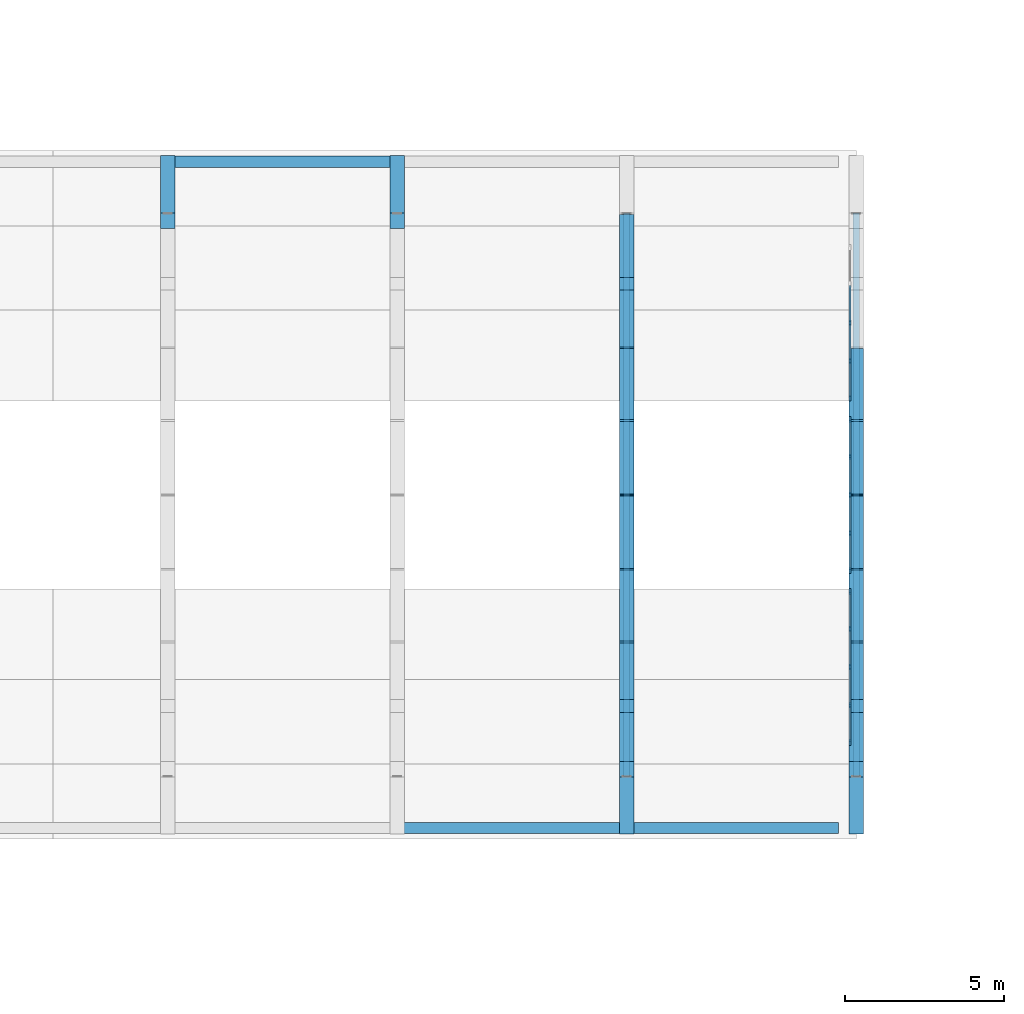
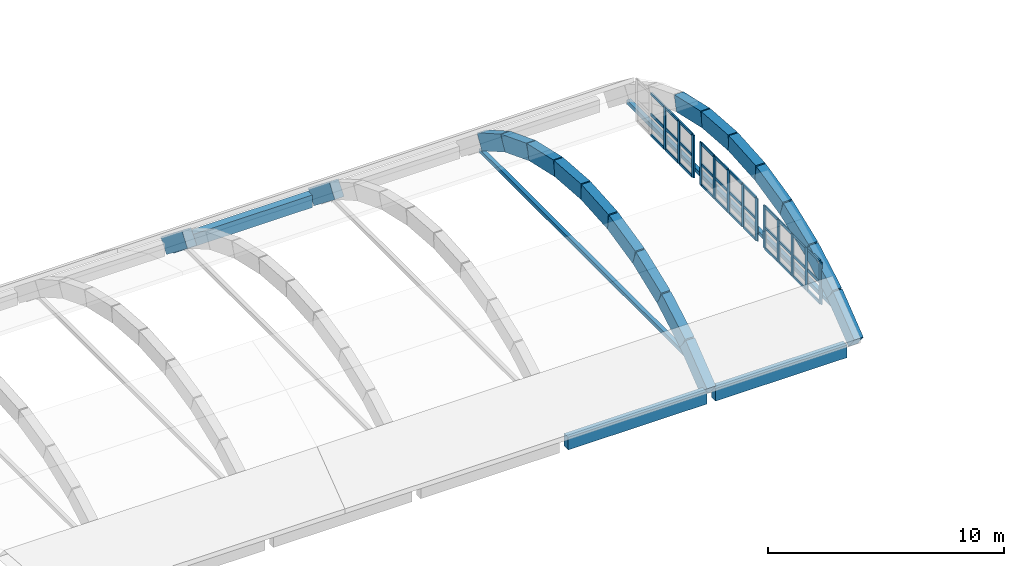
# One storey, part 14 of 73: 48 members, 21 beams, 3 elements without a shape of their own.
"""IFC4 building model written with IfcOpenShell, lengths in metres."""

from ifc_helpers import new_model, si_unit, derived_unit, direction, frame, origin, origin_2d, place, context, subcontext, project, spatial, rectangle, hollow_rectangle, extrude, material, layer, layer_set, material_profile, profile_set, type_object, element, aggregate, save


model = new_model("IFC4")

# Units and contexts
model_context = context("Model", 3, precision=1e-05, world=origin(), true_north=direction((0.0, 1.0)))
body_context = subcontext(model_context, "Body", "Model", "MODEL_VIEW")
ifc_project = project(units=[si_unit("LENGTHUNIT", "METRE"), si_unit("AREAUNIT", "SQUARE_METRE"), si_unit("VOLUMEUNIT", "CUBIC_METRE"), si_unit("PLANEANGLEUNIT", "RADIAN"), si_unit("MASSUNIT", "GRAM", prefix="KILO"), derived_unit("THERMALTRANSMITTANCEUNIT", [(si_unit("MASSUNIT", "GRAM", prefix="KILO"), 1), (si_unit("TIMEUNIT", "SECOND"), -3), (si_unit("THERMODYNAMICTEMPERATUREUNIT", "KELVIN"), -1)])], contexts=[model_context])

# Site, building, storey
site_placement = place(None, origin())
site = spatial("IfcSite", under=ifc_project, at=site_placement, CompositionType="ELEMENT")
building_placement = place(site_placement, origin())
building = spatial("IfcBuilding", under=site, at=building_placement, Name="Ochrekiln Boulevard Commons", CompositionType="ELEMENT")
storey_placement = place(building_placement, frame((0.0, 0.0, 8.574951171875)))
storey = spatial("IfcBuildingStorey", under=building, at=storey_placement, Name="L02", CompositionType="ELEMENT", Elevation=8.574951171875)

# Beams
ifc_material_1 = material(Name="Concrete C40/50", Category="concrete")
ifc_material_profile_1 = material_profile(ifc_material_1, rectangle(XDim=0.449951171875, YDim=0.800048828125, at=origin_2d()), Name="RC-RIB-450x800")
ifc_profile_set_1 = profile_set([ifc_material_profile_1], Name="Concrete C40/50")
beam_type_1 = type_object("IfcBeamType", Name="BM-RIB-450x800", PredefinedType="BEAM", material=ifc_profile_set_1)
for number, where, z_axis, x_axis, name in (
    (1, (86.39990234375, 55.40380859375, 0.969482421875), (0.0, 0.785288184657, -0.61913041198), (-1.0, 0.0, 0.0), "Community Hall Barrel Vault Arch Rib 5 Chord 10"),
    (2, (93.60009765625, 55.40380859375, 0.969482421875), (0.0, 0.785288184657, -0.61913041198), (-1.0, 0.0, 0.0), "Community Hall Barrel Vault Arch Rib 6 Chord 10"),
    (3, (100.800048828125, 36.405517578125, -0.4423828125), (0.0, 0.785288184657, 0.61913041198), (-1.0, 0.0, 0.0), "Community Hall Barrel Vault Arch Rib 7 Chord 1"),
):
    element("IfcBeam", number, at=place(storey_placement, frame(where, z_axis=z_axis, x_axis=x_axis)), inside=storey, type_object=beam_type_1, Name=name, PredefinedType="BEAM", context=body_context, shape_type="SweptSolid", body=[
        extrude(rectangle(XDim=0.449951171875, YDim=0.800048828125, at=origin_2d()), origin(), (0.0, 0.0, 1.0), 2.280517578125),
    ])
beam_1_placement = place(storey_placement, frame((100.800048828125, 38.1962890625, 0.969482421875), z_axis=(0.0, 0.868183838811, 0.496242704759), x_axis=(-1.0, 0.0, 0.0)))
element("IfcBeam", 4, at=beam_1_placement, inside=storey, type_object=beam_type_1, Name="Community Hall Barrel Vault Arch Rib 7 Chord 2", PredefinedType="BEAM", context=body_context, shape_type="SweptSolid", body=[
    extrude(rectangle(XDim=0.449951171875, YDim=0.800048828125, at=origin_2d()), origin(), (0.0, 0.0, 1.0), 2.2802734375),
])
for number, where, z_axis, x_axis, name in (
    (5, (100.800048828125, 40.176025390625, 2.10107421875), (0.0, 0.93199261694, 0.362477257174), (-1.0, 0.0, 0.0), "Community Hall Barrel Vault Arch Rib 7 Chord 3"),
    (6, (100.800048828125, 42.301513671875, 2.927734375), (0.0, 0.975333305686, 0.220737271027), (-1.0, 0.0, 0.0), "Community Hall Barrel Vault Arch Rib 7 Chord 4"),
    (7, (100.800048828125, 44.52587890625, 3.43115234375), (0.0, 0.997251957722, 0.074084632823), (-1.0, 0.0, 0.0), "Community Hall Barrel Vault Arch Rib 7 Chord 5"),
    (8, (100.800048828125, 46.800048828125, 3.60009765625), (0.0, 0.997251957722, -0.074084632823), (-1.0, 0.0, 0.0), "Community Hall Barrel Vault Arch Rib 7 Chord 6"),
    (9, (100.800048828125, 49.07421875, 3.43115234375), (0.0, 0.975333305686, -0.220737271027), (-1.0, 0.0, 0.0), "Community Hall Barrel Vault Arch Rib 7 Chord 7"),
):
    element("IfcBeam", number, at=place(storey_placement, frame(where, z_axis=z_axis, x_axis=x_axis)), inside=storey, type_object=beam_type_1, Name=name, PredefinedType="BEAM", context=body_context, shape_type="SweptSolid", body=[
        extrude(rectangle(XDim=0.449951171875, YDim=0.800048828125, at=origin_2d()), origin(), (0.0, 0.0, 1.0), 2.280517578125),
    ])
beam_2_placement = place(storey_placement, frame((100.800048828125, 51.298583984375, 2.927734375), z_axis=(0.0, 0.93197854933, -0.362513425391), x_axis=(-1.0, 0.0, 0.0)))
element("IfcBeam", 10, at=beam_2_placement, inside=storey, type_object=beam_type_1, Name="Community Hall Barrel Vault Arch Rib 7 Chord 8", PredefinedType="BEAM", context=body_context, shape_type="SweptSolid", body=[
    extrude(rectangle(XDim=0.449951171875, YDim=0.800048828125, at=origin_2d()), origin(), (0.0, 0.0, 1.0), 2.2802734375),
])
for number, where, z_axis, x_axis, name in (
    (11, (100.800048828125, 53.423828125, 2.10107421875), (0.0, 0.868210200433, -0.496196581875), (-1.0, 0.0, 0.0), "Community Hall Barrel Vault Arch Rib 7 Chord 9"),
    (12, (108.0, 36.405517578125, -0.4423828125), (0.0, 0.785288184657, 0.61913041198), (-1.0, 0.0, 0.0), "Community Hall Barrel Vault Arch Rib 8 Chord 1"),
):
    element("IfcBeam", number, at=place(storey_placement, frame(where, z_axis=z_axis, x_axis=x_axis)), inside=storey, type_object=beam_type_1, Name=name, PredefinedType="BEAM", context=body_context, shape_type="SweptSolid", body=[
        extrude(rectangle(XDim=0.449951171875, YDim=0.800048828125, at=origin_2d()), origin(), (0.0, 0.0, 1.0), 2.280517578125),
    ])
beam_3_placement = place(storey_placement, frame((108.0, 38.1962890625, 0.969482421875), z_axis=(0.0, 0.868183838811, 0.496242704759), x_axis=(-1.0, 0.0, 0.0)))
element("IfcBeam", 13, at=beam_3_placement, inside=storey, type_object=beam_type_1, Name="Community Hall Barrel Vault Arch Rib 8 Chord 2", PredefinedType="BEAM", context=body_context, shape_type="SweptSolid", body=[
    extrude(rectangle(XDim=0.449951171875, YDim=0.800048828125, at=origin_2d()), origin(), (0.0, 0.0, 1.0), 2.2802734375),
])
for number, where, z_axis, x_axis, name in (
    (14, (108.0, 40.176025390625, 2.10107421875), (0.0, 0.93199261694, 0.362477257174), (-1.0, 0.0, 0.0), "Community Hall Barrel Vault Arch Rib 8 Chord 3"),
    (15, (108.0, 42.301513671875, 2.927734375), (0.0, 0.975333305686, 0.220737271027), (-1.0, 0.0, 0.0), "Community Hall Barrel Vault Arch Rib 8 Chord 4"),
    (16, (108.0, 44.52587890625, 3.43115234375), (0.0, 0.997251957722, 0.074084632823), (-1.0, 0.0, 0.0), "Community Hall Barrel Vault Arch Rib 8 Chord 5"),
    (17, (108.0, 46.800048828125, 3.60009765625), (0.0, 0.997251957722, -0.074084632823), (-1.0, 0.0, 0.0), "Community Hall Barrel Vault Arch Rib 8 Chord 6"),
    (18, (108.0, 49.07421875, 3.43115234375), (0.0, 0.975333305686, -0.220737271027), (-1.0, 0.0, 0.0), "Community Hall Barrel Vault Arch Rib 8 Chord 7"),
):
    element("IfcBeam", number, at=place(storey_placement, frame(where, z_axis=z_axis, x_axis=x_axis)), inside=storey, type_object=beam_type_1, Name=name, PredefinedType="BEAM", context=body_context, shape_type="SweptSolid", body=[
        extrude(rectangle(XDim=0.449951171875, YDim=0.800048828125, at=origin_2d()), origin(), (0.0, 0.0, 1.0), 2.280517578125),
    ])

# Curtain wall, members
ifc_material_2 = material(Name="Bronze-anodized extruded aluminium 6063-T6", Category="aluminium")
ifc_layer = layer(ifc_material_2, 0.196044921875)
ifc_layer_set = layer_set([ifc_layer], Name="Bronze-anodized extruded aluminium 6063-T6")
curtain_wall_type = type_object("IfcCurtainWallType", Name="CW-HALL", PredefinedType="USERDEFINED", material=ifc_layer_set)
curtain_wall_1_placement = place(storey_placement, origin())
curtain_wall_1 = element("IfcCurtainWall", 19, at=curtain_wall_1_placement, inside=storey, type_object=curtain_wall_type, Name="Community Hall Vault Tympanum Curtain Wall E-1", ObjectType="GLAZED CURTAIN WALL", PredefinedType="USERDEFINED")
ifc_material_profile_2 = material_profile(ifc_material_2, rectangle(XDim=0.06494140625, YDim=0.179931640625, at=origin_2d()), Name="ALU-MUL-65x180")
ifc_profile_set_2 = profile_set([ifc_material_profile_2], Name="Bronze-anodized extruded aluminium 6063-T6")
member_type_1 = type_object("IfcMemberType", Name="CWM-65x180", PredefinedType="MULLION", material=ifc_profile_set_2)
member_1_placement = place(storey_placement, frame((107.800048828125, 39.032470703125, 0.0), z_axis=(0.0, 0.0, 1.0), x_axis=(-1.0, 0.0, 0.0)))
member_1 = element("IfcMember", 20, at=member_1_placement, type_object=member_type_1, Name="CW-03 mullion 1", PredefinedType="MULLION", context=body_context, shape_type="SweptSolid", body=[
    extrude(rectangle(XDim=0.06494140625, YDim=0.179931640625, at=origin_2d()), origin(), (0.0, 0.0, 1.0), 2.199951171875),
])
member_2_placement = place(storey_placement, frame((107.800048828125, 40.199951171875, 0.0), z_axis=(0.0, 0.0, 1.0), x_axis=(-1.0, 0.0, 0.0)))
member_2 = element("IfcMember", 21, at=member_2_placement, type_object=member_type_1, Name="CW-03 mullion 2", PredefinedType="MULLION", context=body_context, shape_type="SweptSolid", body=[
    extrude(rectangle(XDim=0.06494140625, YDim=0.179931640625, at=origin_2d()), origin(), (0.0, 0.0, 1.0), 2.199951171875),
])
member_3_placement = place(storey_placement, frame((107.800048828125, 41.39990234375, 0.0), z_axis=(0.0, 0.0, 1.0), x_axis=(-1.0, 0.0, 0.0)))
member_3 = element("IfcMember", 22, at=member_3_placement, type_object=member_type_1, Name="CW-03 mullion 3", PredefinedType="MULLION", context=body_context, shape_type="SweptSolid", body=[
    extrude(rectangle(XDim=0.06494140625, YDim=0.179931640625, at=origin_2d()), origin(), (0.0, 0.0, 1.0), 2.199951171875),
])
member_4_placement = place(storey_placement, frame((107.800048828125, 42.60009765625, 0.0), z_axis=(0.0, 0.0, 1.0), x_axis=(-1.0, 0.0, 0.0)))
member_4 = element("IfcMember", 23, at=member_4_placement, type_object=member_type_1, Name="CW-03 mullion 4", PredefinedType="MULLION", context=body_context, shape_type="SweptSolid", body=[
    extrude(rectangle(XDim=0.06494140625, YDim=0.179931640625, at=origin_2d()), origin(), (0.0, 0.0, 1.0), 2.199951171875),
])
member_5_placement = place(storey_placement, frame((107.800048828125, 43.767578125, 0.0), z_axis=(0.0, 0.0, 1.0), x_axis=(-1.0, 0.0, 0.0)))
member_5 = element("IfcMember", 24, at=member_5_placement, type_object=member_type_1, Name="CW-03 mullion 5", PredefinedType="MULLION", context=body_context, shape_type="SweptSolid", body=[
    extrude(rectangle(XDim=0.06494140625, YDim=0.179931640625, at=origin_2d()), origin(), (0.0, 0.0, 1.0), 2.199951171875),
])

curtain_wall_2_placement = place(storey_placement, origin())
curtain_wall_2 = element("IfcCurtainWall", 25, at=curtain_wall_2_placement, inside=storey, type_object=curtain_wall_type, Name="Community Hall Vault Tympanum Curtain Wall E-2", ObjectType="GLAZED CURTAIN WALL", PredefinedType="USERDEFINED")
member_6_placement = place(storey_placement, frame((107.800048828125, 44.4326171875, 0.0), z_axis=(0.0, 0.0, 1.0), x_axis=(-1.0, 0.0, 0.0)))
member_6 = element("IfcMember", 26, at=member_6_placement, type_object=member_type_1, Name="CW-03 mullion 1", PredefinedType="MULLION", context=body_context, shape_type="SweptSolid", body=[
    extrude(rectangle(XDim=0.06494140625, YDim=0.179931640625, at=origin_2d()), origin(), (0.0, 0.0, 1.0), 2.199951171875),
])
member_7_placement = place(storey_placement, frame((107.800048828125, 45.60009765625, 0.0), z_axis=(0.0, 0.0, 1.0), x_axis=(-1.0, 0.0, 0.0)))
member_7 = element("IfcMember", 27, at=member_7_placement, type_object=member_type_1, Name="CW-03 mullion 2", PredefinedType="MULLION", context=body_context, shape_type="SweptSolid", body=[
    extrude(rectangle(XDim=0.06494140625, YDim=0.179931640625, at=origin_2d()), origin(), (0.0, 0.0, 1.0), 2.199951171875),
])
member_8_placement = place(storey_placement, frame((107.800048828125, 46.800048828125, 0.0), z_axis=(0.0, 0.0, 1.0), x_axis=(-1.0, 0.0, 0.0)))
member_8 = element("IfcMember", 28, at=member_8_placement, type_object=member_type_1, Name="CW-03 mullion 3", PredefinedType="MULLION", context=body_context, shape_type="SweptSolid", body=[
    extrude(rectangle(XDim=0.06494140625, YDim=0.179931640625, at=origin_2d()), origin(), (0.0, 0.0, 1.0), 2.199951171875),
])
member_9_placement = place(storey_placement, frame((107.800048828125, 48.0, 0.0), z_axis=(0.0, 0.0, 1.0), x_axis=(-1.0, 0.0, 0.0)))
member_9 = element("IfcMember", 29, at=member_9_placement, type_object=member_type_1, Name="CW-03 mullion 4", PredefinedType="MULLION", context=body_context, shape_type="SweptSolid", body=[
    extrude(rectangle(XDim=0.06494140625, YDim=0.179931640625, at=origin_2d()), origin(), (0.0, 0.0, 1.0), 2.199951171875),
])
member_10_placement = place(storey_placement, frame((107.800048828125, 49.16748046875, 0.0), z_axis=(0.0, 0.0, 1.0), x_axis=(-1.0, 0.0, 0.0)))
member_10 = element("IfcMember", 30, at=member_10_placement, type_object=member_type_1, Name="CW-03 mullion 5", PredefinedType="MULLION", context=body_context, shape_type="SweptSolid", body=[
    extrude(rectangle(XDim=0.06494140625, YDim=0.179931640625, at=origin_2d()), origin(), (0.0, 0.0, 1.0), 2.199951171875),
])

curtain_wall_3_placement = place(storey_placement, origin())
curtain_wall_3 = element("IfcCurtainWall", 31, at=curtain_wall_3_placement, inside=storey, type_object=curtain_wall_type, Name="Community Hall Vault Tympanum Curtain Wall E-3", ObjectType="GLAZED CURTAIN WALL", PredefinedType="USERDEFINED")
member_11_placement = place(storey_placement, frame((107.800048828125, 49.83251953125, 0.0), z_axis=(0.0, 0.0, 1.0), x_axis=(-1.0, 0.0, 0.0)))
member_11 = element("IfcMember", 32, at=member_11_placement, type_object=member_type_1, Name="CW-03 mullion 1", PredefinedType="MULLION", context=body_context, shape_type="SweptSolid", body=[
    extrude(rectangle(XDim=0.06494140625, YDim=0.179931640625, at=origin_2d()), origin(), (0.0, 0.0, 1.0), 2.199951171875),
])
member_12_placement = place(storey_placement, frame((107.800048828125, 51.0, 0.0), z_axis=(0.0, 0.0, 1.0), x_axis=(-1.0, 0.0, 0.0)))
member_12 = element("IfcMember", 33, at=member_12_placement, type_object=member_type_1, Name="CW-03 mullion 2", PredefinedType="MULLION", context=body_context, shape_type="SweptSolid", body=[
    extrude(rectangle(XDim=0.06494140625, YDim=0.179931640625, at=origin_2d()), origin(), (0.0, 0.0, 1.0), 2.199951171875),
])
member_13_placement = place(storey_placement, frame((107.800048828125, 52.199951171875, 0.0), z_axis=(0.0, 0.0, 1.0), x_axis=(-1.0, 0.0, 0.0)))
member_13 = element("IfcMember", 34, at=member_13_placement, type_object=member_type_1, Name="CW-03 mullion 3", PredefinedType="MULLION", context=body_context, shape_type="SweptSolid", body=[
    extrude(rectangle(XDim=0.06494140625, YDim=0.179931640625, at=origin_2d()), origin(), (0.0, 0.0, 1.0), 2.199951171875),
])

# Member
ifc_material_profile_3 = material_profile(ifc_material_2, rectangle(XDim=0.06494140625, YDim=0.139892578125, at=origin_2d()), Name="ALU-TRN-65x140")
ifc_profile_set_3 = profile_set([ifc_material_profile_3], Name="Bronze-anodized extruded aluminium 6063-T6")
member_type_2 = type_object("IfcMemberType", Name="CWT-65x140", PredefinedType="USERDEFINED", material=ifc_profile_set_3)
member_14_placement = place(storey_placement, frame((107.800048828125, 39.06494140625, 0.032470703125), z_axis=(0.0, 1.0, 0.0), x_axis=(-1.0, 0.0, 0.0)))
member_14 = element("IfcMember", 35, at=member_14_placement, type_object=member_type_2, Name="CW-03 transom 1.1", ObjectType="TRANSOM", PredefinedType="USERDEFINED", context=body_context, shape_type="SweptSolid", body=[
    extrude(rectangle(XDim=0.06494140625, YDim=0.139892578125, at=origin_2d()), origin(), (0.0, 0.0, 1.0), 1.1025390625),
])

member_15_placement = place(storey_placement, frame((107.800048828125, 39.06494140625, 1.10009765625), z_axis=(0.0, 1.0, 0.0), x_axis=(-1.0, 0.0, 0.0)))
member_15 = element("IfcMember", 36, at=member_15_placement, type_object=member_type_2, Name="CW-03 transom 1.2", ObjectType="TRANSOM", PredefinedType="USERDEFINED", context=body_context, shape_type="SweptSolid", body=[
    extrude(rectangle(XDim=0.06494140625, YDim=0.139892578125, at=origin_2d()), origin(), (0.0, 0.0, 1.0), 1.1025390625),
])

member_16_placement = place(storey_placement, frame((107.800048828125, 39.06494140625, 2.16748046875), z_axis=(0.0, 1.0, 0.0), x_axis=(-1.0, 0.0, 0.0)))
member_16 = element("IfcMember", 37, at=member_16_placement, type_object=member_type_2, Name="CW-03 transom 1.3", ObjectType="TRANSOM", PredefinedType="USERDEFINED", context=body_context, shape_type="SweptSolid", body=[
    extrude(rectangle(XDim=0.06494140625, YDim=0.139892578125, at=origin_2d()), origin(), (0.0, 0.0, 1.0), 1.1025390625),
])

member_17_placement = place(storey_placement, frame((107.800048828125, 40.232421875, 0.032470703125), z_axis=(0.0, 1.0, 0.0), x_axis=(-1.0, 0.0, 0.0)))
member_17 = element("IfcMember", 38, at=member_17_placement, type_object=member_type_2, Name="CW-03 transom 2.1", ObjectType="TRANSOM", PredefinedType="USERDEFINED", context=body_context, shape_type="SweptSolid", body=[
    extrude(rectangle(XDim=0.06494140625, YDim=0.139892578125, at=origin_2d()), origin(), (0.0, 0.0, 1.0), 1.135009765625),
])

member_18_placement = place(storey_placement, frame((107.800048828125, 40.232421875, 1.10009765625), z_axis=(0.0, 1.0, 0.0), x_axis=(-1.0, 0.0, 0.0)))
member_18 = element("IfcMember", 39, at=member_18_placement, type_object=member_type_2, Name="CW-03 transom 2.2", ObjectType="TRANSOM", PredefinedType="USERDEFINED", context=body_context, shape_type="SweptSolid", body=[
    extrude(rectangle(XDim=0.06494140625, YDim=0.139892578125, at=origin_2d()), origin(), (0.0, 0.0, 1.0), 1.135009765625),
])

member_19_placement = place(storey_placement, frame((107.800048828125, 40.232421875, 2.16748046875), z_axis=(0.0, 1.0, 0.0), x_axis=(-1.0, 0.0, 0.0)))
member_19 = element("IfcMember", 40, at=member_19_placement, type_object=member_type_2, Name="CW-03 transom 2.3", ObjectType="TRANSOM", PredefinedType="USERDEFINED", context=body_context, shape_type="SweptSolid", body=[
    extrude(rectangle(XDim=0.06494140625, YDim=0.139892578125, at=origin_2d()), origin(), (0.0, 0.0, 1.0), 1.135009765625),
])

member_20_placement = place(storey_placement, frame((107.800048828125, 41.4326171875, 0.032470703125), z_axis=(0.0, 1.0, 0.0), x_axis=(-1.0, 0.0, 0.0)))
member_20 = element("IfcMember", 41, at=member_20_placement, type_object=member_type_2, Name="CW-03 transom 3.1", ObjectType="TRANSOM", PredefinedType="USERDEFINED", context=body_context, shape_type="SweptSolid", body=[
    extrude(rectangle(XDim=0.06494140625, YDim=0.139892578125, at=origin_2d()), origin(), (0.0, 0.0, 1.0), 1.134765625),
])

member_21_placement = place(storey_placement, frame((107.800048828125, 41.4326171875, 1.10009765625), z_axis=(0.0, 1.0, 0.0), x_axis=(-1.0, 0.0, 0.0)))
member_21 = element("IfcMember", 42, at=member_21_placement, type_object=member_type_2, Name="CW-03 transom 3.2", ObjectType="TRANSOM", PredefinedType="USERDEFINED", context=body_context, shape_type="SweptSolid", body=[
    extrude(rectangle(XDim=0.06494140625, YDim=0.139892578125, at=origin_2d()), origin(), (0.0, 0.0, 1.0), 1.134765625),
])

member_22_placement = place(storey_placement, frame((107.800048828125, 41.4326171875, 2.16748046875), z_axis=(0.0, 1.0, 0.0), x_axis=(-1.0, 0.0, 0.0)))
member_22 = element("IfcMember", 43, at=member_22_placement, type_object=member_type_2, Name="CW-03 transom 3.3", ObjectType="TRANSOM", PredefinedType="USERDEFINED", context=body_context, shape_type="SweptSolid", body=[
    extrude(rectangle(XDim=0.06494140625, YDim=0.139892578125, at=origin_2d()), origin(), (0.0, 0.0, 1.0), 1.134765625),
])

member_23_placement = place(storey_placement, frame((107.800048828125, 42.632568359375, 0.032470703125), z_axis=(0.0, 1.0, 0.0), x_axis=(-1.0, 0.0, 0.0)))
member_23 = element("IfcMember", 44, at=member_23_placement, type_object=member_type_2, Name="CW-03 transom 4.1", ObjectType="TRANSOM", PredefinedType="USERDEFINED", context=body_context, shape_type="SweptSolid", body=[
    extrude(rectangle(XDim=0.06494140625, YDim=0.139892578125, at=origin_2d()), origin(), (0.0, 0.0, 1.0), 1.1025390625),
])

member_24_placement = place(storey_placement, frame((107.800048828125, 42.632568359375, 1.10009765625), z_axis=(0.0, 1.0, 0.0), x_axis=(-1.0, 0.0, 0.0)))
member_24 = element("IfcMember", 45, at=member_24_placement, type_object=member_type_2, Name="CW-03 transom 4.2", ObjectType="TRANSOM", PredefinedType="USERDEFINED", context=body_context, shape_type="SweptSolid", body=[
    extrude(rectangle(XDim=0.06494140625, YDim=0.139892578125, at=origin_2d()), origin(), (0.0, 0.0, 1.0), 1.1025390625),
])

member_25_placement = place(storey_placement, frame((107.800048828125, 42.632568359375, 2.16748046875), z_axis=(0.0, 1.0, 0.0), x_axis=(-1.0, 0.0, 0.0)))
member_25 = element("IfcMember", 46, at=member_25_placement, type_object=member_type_2, Name="CW-03 transom 4.3", ObjectType="TRANSOM", PredefinedType="USERDEFINED", context=body_context, shape_type="SweptSolid", body=[
    extrude(rectangle(XDim=0.06494140625, YDim=0.139892578125, at=origin_2d()), origin(), (0.0, 0.0, 1.0), 1.1025390625),
])

aggregate(curtain_wall_1, [member_1, member_2, member_3, member_4, member_5, member_14, member_15, member_16, member_17, member_18, member_19, member_20, member_21, member_22, member_23, member_24, member_25])

member_26_placement = place(storey_placement, frame((107.800048828125, 44.465087890625, 0.032470703125), z_axis=(0.0, 1.0, 0.0), x_axis=(-1.0, 0.0, 0.0)))
member_26 = element("IfcMember", 47, at=member_26_placement, type_object=member_type_2, Name="CW-03 transom 1.1", ObjectType="TRANSOM", PredefinedType="USERDEFINED", context=body_context, shape_type="SweptSolid", body=[
    extrude(rectangle(XDim=0.06494140625, YDim=0.139892578125, at=origin_2d()), origin(), (0.0, 0.0, 1.0), 1.102294921875),
])

member_27_placement = place(storey_placement, frame((107.800048828125, 44.465087890625, 1.10009765625), z_axis=(0.0, 1.0, 0.0), x_axis=(-1.0, 0.0, 0.0)))
member_27 = element("IfcMember", 48, at=member_27_placement, type_object=member_type_2, Name="CW-03 transom 1.2", ObjectType="TRANSOM", PredefinedType="USERDEFINED", context=body_context, shape_type="SweptSolid", body=[
    extrude(rectangle(XDim=0.06494140625, YDim=0.139892578125, at=origin_2d()), origin(), (0.0, 0.0, 1.0), 1.102294921875),
])

member_28_placement = place(storey_placement, frame((107.800048828125, 44.465087890625, 2.16748046875), z_axis=(0.0, 1.0, 0.0), x_axis=(-1.0, 0.0, 0.0)))
member_28 = element("IfcMember", 49, at=member_28_placement, type_object=member_type_2, Name="CW-03 transom 1.3", ObjectType="TRANSOM", PredefinedType="USERDEFINED", context=body_context, shape_type="SweptSolid", body=[
    extrude(rectangle(XDim=0.06494140625, YDim=0.139892578125, at=origin_2d()), origin(), (0.0, 0.0, 1.0), 1.102294921875),
])

member_29_placement = place(storey_placement, frame((107.800048828125, 45.632568359375, 0.032470703125), z_axis=(0.0, 1.0, 0.0), x_axis=(-1.0, 0.0, 0.0)))
member_29 = element("IfcMember", 50, at=member_29_placement, type_object=member_type_2, Name="CW-03 transom 2.1", ObjectType="TRANSOM", PredefinedType="USERDEFINED", context=body_context, shape_type="SweptSolid", body=[
    extrude(rectangle(XDim=0.06494140625, YDim=0.139892578125, at=origin_2d()), origin(), (0.0, 0.0, 1.0), 1.135009765625),
])

member_30_placement = place(storey_placement, frame((107.800048828125, 45.632568359375, 1.10009765625), z_axis=(0.0, 1.0, 0.0), x_axis=(-1.0, 0.0, 0.0)))
member_30 = element("IfcMember", 51, at=member_30_placement, type_object=member_type_2, Name="CW-03 transom 2.2", ObjectType="TRANSOM", PredefinedType="USERDEFINED", context=body_context, shape_type="SweptSolid", body=[
    extrude(rectangle(XDim=0.06494140625, YDim=0.139892578125, at=origin_2d()), origin(), (0.0, 0.0, 1.0), 1.135009765625),
])

member_31_placement = place(storey_placement, frame((107.800048828125, 45.632568359375, 2.16748046875), z_axis=(0.0, 1.0, 0.0), x_axis=(-1.0, 0.0, 0.0)))
member_31 = element("IfcMember", 52, at=member_31_placement, type_object=member_type_2, Name="CW-03 transom 2.3", ObjectType="TRANSOM", PredefinedType="USERDEFINED", context=body_context, shape_type="SweptSolid", body=[
    extrude(rectangle(XDim=0.06494140625, YDim=0.139892578125, at=origin_2d()), origin(), (0.0, 0.0, 1.0), 1.135009765625),
])

member_32_placement = place(storey_placement, frame((107.800048828125, 46.83251953125, 0.032470703125), z_axis=(0.0, 1.0, 0.0), x_axis=(-1.0, 0.0, 0.0)))
member_32 = element("IfcMember", 53, at=member_32_placement, type_object=member_type_2, Name="CW-03 transom 3.1", ObjectType="TRANSOM", PredefinedType="USERDEFINED", context=body_context, shape_type="SweptSolid", body=[
    extrude(rectangle(XDim=0.06494140625, YDim=0.139892578125, at=origin_2d()), origin(), (0.0, 0.0, 1.0), 1.135009765625),
])

member_33_placement = place(storey_placement, frame((107.800048828125, 46.83251953125, 1.10009765625), z_axis=(0.0, 1.0, 0.0), x_axis=(-1.0, 0.0, 0.0)))
member_33 = element("IfcMember", 54, at=member_33_placement, type_object=member_type_2, Name="CW-03 transom 3.2", ObjectType="TRANSOM", PredefinedType="USERDEFINED", context=body_context, shape_type="SweptSolid", body=[
    extrude(rectangle(XDim=0.06494140625, YDim=0.139892578125, at=origin_2d()), origin(), (0.0, 0.0, 1.0), 1.135009765625),
])

member_34_placement = place(storey_placement, frame((107.800048828125, 46.83251953125, 2.16748046875), z_axis=(0.0, 1.0, 0.0), x_axis=(-1.0, 0.0, 0.0)))
member_34 = element("IfcMember", 55, at=member_34_placement, type_object=member_type_2, Name="CW-03 transom 3.3", ObjectType="TRANSOM", PredefinedType="USERDEFINED", context=body_context, shape_type="SweptSolid", body=[
    extrude(rectangle(XDim=0.06494140625, YDim=0.139892578125, at=origin_2d()), origin(), (0.0, 0.0, 1.0), 1.135009765625),
])

member_35_placement = place(storey_placement, frame((107.800048828125, 48.032470703125, 0.032470703125), z_axis=(0.0, 1.0, 0.0), x_axis=(-1.0, 0.0, 0.0)))
member_35 = element("IfcMember", 56, at=member_35_placement, type_object=member_type_2, Name="CW-03 transom 4.1", ObjectType="TRANSOM", PredefinedType="USERDEFINED", context=body_context, shape_type="SweptSolid", body=[
    extrude(rectangle(XDim=0.06494140625, YDim=0.139892578125, at=origin_2d()), origin(), (0.0, 0.0, 1.0), 1.1025390625),
])

member_36_placement = place(storey_placement, frame((107.800048828125, 48.032470703125, 1.10009765625), z_axis=(0.0, 1.0, 0.0), x_axis=(-1.0, 0.0, 0.0)))
member_36 = element("IfcMember", 57, at=member_36_placement, type_object=member_type_2, Name="CW-03 transom 4.2", ObjectType="TRANSOM", PredefinedType="USERDEFINED", context=body_context, shape_type="SweptSolid", body=[
    extrude(rectangle(XDim=0.06494140625, YDim=0.139892578125, at=origin_2d()), origin(), (0.0, 0.0, 1.0), 1.1025390625),
])

member_37_placement = place(storey_placement, frame((107.800048828125, 48.032470703125, 2.16748046875), z_axis=(0.0, 1.0, 0.0), x_axis=(-1.0, 0.0, 0.0)))
member_37 = element("IfcMember", 58, at=member_37_placement, type_object=member_type_2, Name="CW-03 transom 4.3", ObjectType="TRANSOM", PredefinedType="USERDEFINED", context=body_context, shape_type="SweptSolid", body=[
    extrude(rectangle(XDim=0.06494140625, YDim=0.139892578125, at=origin_2d()), origin(), (0.0, 0.0, 1.0), 1.1025390625),
])

aggregate(curtain_wall_2, [member_6, member_7, member_8, member_9, member_10, member_26, member_27, member_28, member_29, member_30, member_31, member_32, member_33, member_34, member_35, member_36, member_37])

member_38_placement = place(storey_placement, frame((107.800048828125, 49.864990234375, 0.032470703125), z_axis=(0.0, 1.0, 0.0), x_axis=(-1.0, 0.0, 0.0)))
member_38 = element("IfcMember", 59, at=member_38_placement, type_object=member_type_2, Name="CW-03 transom 1.1", ObjectType="TRANSOM", PredefinedType="USERDEFINED", context=body_context, shape_type="SweptSolid", body=[
    extrude(rectangle(XDim=0.06494140625, YDim=0.139892578125, at=origin_2d()), origin(), (0.0, 0.0, 1.0), 1.1025390625),
])

member_39_placement = place(storey_placement, frame((107.800048828125, 49.864990234375, 1.10009765625), z_axis=(0.0, 1.0, 0.0), x_axis=(-1.0, 0.0, 0.0)))
member_39 = element("IfcMember", 60, at=member_39_placement, type_object=member_type_2, Name="CW-03 transom 1.2", ObjectType="TRANSOM", PredefinedType="USERDEFINED", context=body_context, shape_type="SweptSolid", body=[
    extrude(rectangle(XDim=0.06494140625, YDim=0.139892578125, at=origin_2d()), origin(), (0.0, 0.0, 1.0), 1.1025390625),
])

member_40_placement = place(storey_placement, frame((107.800048828125, 49.864990234375, 2.16748046875), z_axis=(0.0, 1.0, 0.0), x_axis=(-1.0, 0.0, 0.0)))
member_40 = element("IfcMember", 61, at=member_40_placement, type_object=member_type_2, Name="CW-03 transom 1.3", ObjectType="TRANSOM", PredefinedType="USERDEFINED", context=body_context, shape_type="SweptSolid", body=[
    extrude(rectangle(XDim=0.06494140625, YDim=0.139892578125, at=origin_2d()), origin(), (0.0, 0.0, 1.0), 1.1025390625),
])

member_41_placement = place(storey_placement, frame((107.800048828125, 51.032470703125, 0.032470703125), z_axis=(0.0, 1.0, 0.0), x_axis=(-1.0, 0.0, 0.0)))
member_41 = element("IfcMember", 62, at=member_41_placement, type_object=member_type_2, Name="CW-03 transom 2.1", ObjectType="TRANSOM", PredefinedType="USERDEFINED", context=body_context, shape_type="SweptSolid", body=[
    extrude(rectangle(XDim=0.06494140625, YDim=0.139892578125, at=origin_2d()), origin(), (0.0, 0.0, 1.0), 1.135009765625),
])

member_42_placement = place(storey_placement, frame((107.800048828125, 51.032470703125, 1.10009765625), z_axis=(0.0, 1.0, 0.0), x_axis=(-1.0, 0.0, 0.0)))
member_42 = element("IfcMember", 63, at=member_42_placement, type_object=member_type_2, Name="CW-03 transom 2.2", ObjectType="TRANSOM", PredefinedType="USERDEFINED", context=body_context, shape_type="SweptSolid", body=[
    extrude(rectangle(XDim=0.06494140625, YDim=0.139892578125, at=origin_2d()), origin(), (0.0, 0.0, 1.0), 1.135009765625),
])

member_43_placement = place(storey_placement, frame((107.800048828125, 51.032470703125, 2.16748046875), z_axis=(0.0, 1.0, 0.0), x_axis=(-1.0, 0.0, 0.0)))
member_43 = element("IfcMember", 64, at=member_43_placement, type_object=member_type_2, Name="CW-03 transom 2.3", ObjectType="TRANSOM", PredefinedType="USERDEFINED", context=body_context, shape_type="SweptSolid", body=[
    extrude(rectangle(XDim=0.06494140625, YDim=0.139892578125, at=origin_2d()), origin(), (0.0, 0.0, 1.0), 1.135009765625),
])

member_44_placement = place(storey_placement, frame((107.800048828125, 52.232421875, 0.032470703125), z_axis=(0.0, 1.0, 0.0), x_axis=(-1.0, 0.0, 0.0)))
member_44 = element("IfcMember", 65, at=member_44_placement, type_object=member_type_2, Name="CW-03 transom 3.1", ObjectType="TRANSOM", PredefinedType="USERDEFINED", context=body_context, shape_type="SweptSolid", body=[
    extrude(rectangle(XDim=0.06494140625, YDim=0.139892578125, at=origin_2d()), origin(), (0.0, 0.0, 1.0), 1.135009765625),
])

member_45_placement = place(storey_placement, frame((107.800048828125, 52.232421875, 1.10009765625), z_axis=(0.0, 1.0, 0.0), x_axis=(-1.0, 0.0, 0.0)))
member_45 = element("IfcMember", 66, at=member_45_placement, type_object=member_type_2, Name="CW-03 transom 3.2", ObjectType="TRANSOM", PredefinedType="USERDEFINED", context=body_context, shape_type="SweptSolid", body=[
    extrude(rectangle(XDim=0.06494140625, YDim=0.139892578125, at=origin_2d()), origin(), (0.0, 0.0, 1.0), 1.135009765625),
])

member_46_placement = place(storey_placement, frame((107.800048828125, 52.232421875, 2.16748046875), z_axis=(0.0, 1.0, 0.0), x_axis=(-1.0, 0.0, 0.0)))
member_46 = element("IfcMember", 67, at=member_46_placement, type_object=member_type_2, Name="CW-03 transom 3.3", ObjectType="TRANSOM", PredefinedType="USERDEFINED", context=body_context, shape_type="SweptSolid", body=[
    extrude(rectangle(XDim=0.06494140625, YDim=0.139892578125, at=origin_2d()), origin(), (0.0, 0.0, 1.0), 1.135009765625),
])

aggregate(curtain_wall_3, [member_11, member_12, member_13, member_38, member_39, member_40, member_41, member_42, member_43, member_44, member_45, member_46])

# Members
ifc_material_3 = material(Name="Steel A500 Grade C", Category="steel")
ifc_material_profile_4 = material_profile(ifc_material_3, hollow_rectangle(XDim=0.199951171875, YDim=0.199951171875, WallThickness=0.012451171875, at=origin_2d()), Name="HSS200X200X12.5")
ifc_profile_set_4 = profile_set([ifc_material_profile_4], Name="Steel A500 Grade C")
member_type_3 = type_object("IfcMemberType", Name="MEM-TIE-HSS200", PredefinedType="CHORD", material=ifc_profile_set_4)
for number, where, z_axis, x_axis, name in (
    (68, (100.800048828125, 37.9599609375, 0.324951171875), (0.0, 1.0, 0.0), (-1.0, 0.0, 0.0), "Community Hall Barrel Vault Horizontal Tie Rod 7"),
    (69, (108.0, 37.9599609375, 0.324951171875), (0.0, 1.0, 0.0), (-1.0, 0.0, 0.0), "Community Hall Barrel Vault Horizontal Tie Rod 8"),
):
    element("IfcMember", number, at=place(storey_placement, frame(where, z_axis=z_axis, x_axis=x_axis)), inside=storey, type_object=member_type_3, Name=name, PredefinedType="CHORD", context=body_context, shape_type="SweptSolid", body=[
        extrude(hollow_rectangle(XDim=0.199951171875, YDim=0.199951171875, WallThickness=0.012451171875, at=origin_2d()), origin(), (0.0, 0.0, 1.0), 17.679931640625),
    ])

# Beams
ifc_material_profile_5 = material_profile(ifc_material_1, rectangle(XDim=0.35009765625, YDim=0.64990234375, at=origin_2d()), Name="RC-SPN-350x650")
ifc_profile_set_5 = profile_set([ifc_material_profile_5], Name="Concrete C40/50")
beam_type_2 = type_object("IfcBeamType", Name="SPN-RC-350x650", PredefinedType="SPANDREL", material=ifc_profile_set_5)
beam_4_placement = place(storey_placement, frame((93.81005859375, 36.35009765625, -0.594970703125), z_axis=(1.0, 0.0, 0.0), x_axis=(0.0, 1.0, 0.0)))
element("IfcBeam", 70, at=beam_4_placement, inside=storey, type_object=beam_type_2, Name="Community Hall L02 Beam SP-3565 X6", PredefinedType="SPANDREL", context=body_context, shape_type="SweptSolid", body=[
    extrude(rectangle(XDim=0.35009765625, YDim=0.64990234375, at=origin_2d()), origin(), (0.0, 0.0, 1.0), 6.780029296875),
])
beam_5_placement = place(storey_placement, frame((101.010009765625, 36.35009765625, -0.594970703125), z_axis=(1.0, 0.0, 0.0), x_axis=(0.0, 1.0, 0.0)))
element("IfcBeam", 71, at=beam_5_placement, inside=storey, type_object=beam_type_2, Name="Community Hall L02 Beam SP-3565 X7", PredefinedType="SPANDREL", context=body_context, shape_type="SweptSolid", body=[
    extrude(rectangle(XDim=0.35009765625, YDim=0.64990234375, at=origin_2d()), origin(), (0.0, 0.0, 1.0), 6.429931640625),
])
beam_6_placement = place(storey_placement, frame((86.610107421875, 57.25, -0.594970703125), z_axis=(1.0, 0.0, 0.0), x_axis=(0.0, 1.0, 0.0)))
element("IfcBeam", 72, at=beam_6_placement, inside=storey, type_object=beam_type_2, Name="Community Hall L02 Beam SP-3565 X12", PredefinedType="SPANDREL", context=body_context, shape_type="SweptSolid", body=[
    extrude(rectangle(XDim=0.35009765625, YDim=0.64990234375, at=origin_2d()), origin(), (0.0, 0.0, 1.0), 6.77978515625),
])

save(model, "model.ifc")
